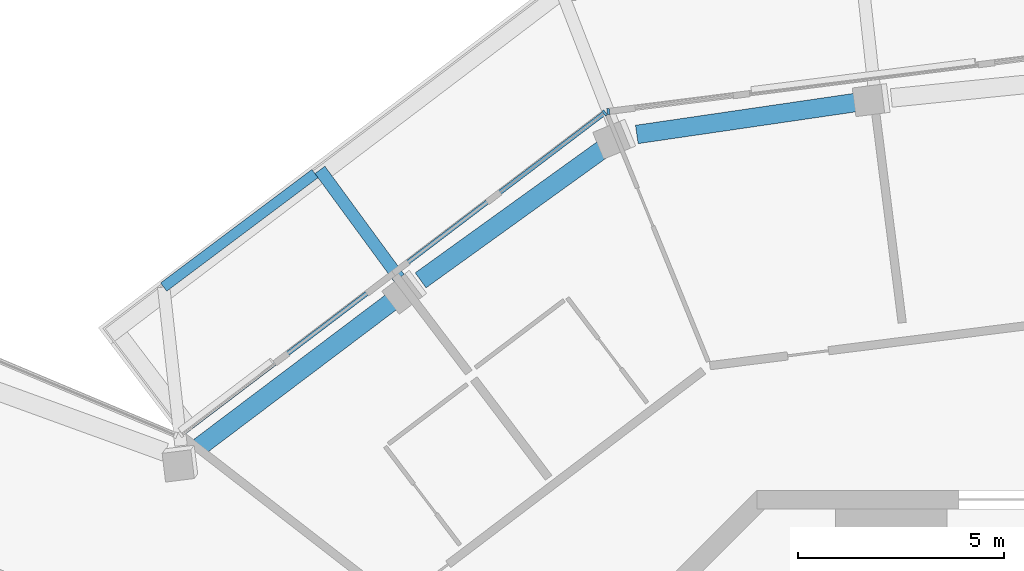
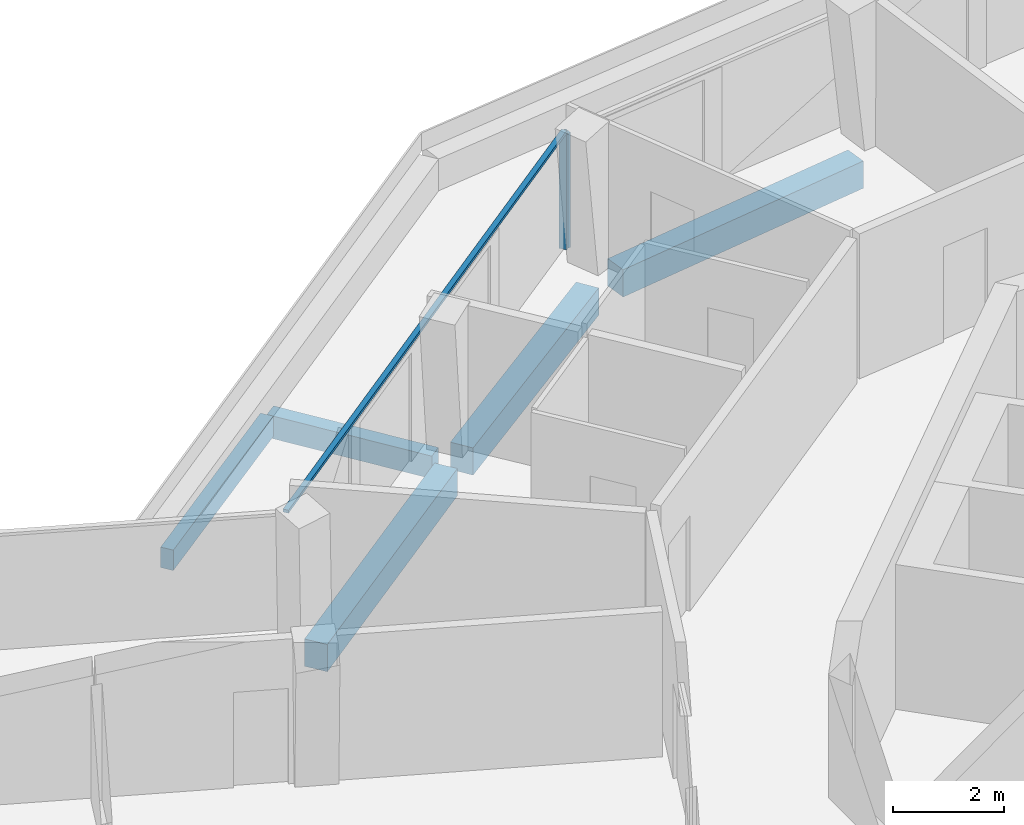
# One storey, part 6 of 26: 5 beams, 3 members, 2 elements without a shape of their own.
"""IFC4 building model written with IfcOpenShell, lengths in metres."""

from ifc_helpers import new_model, si_unit, direction, frame, origin, origin_2d, place, context, subcontext, project, spatial, rectangle, extrude, material, layer, layer_set, material_profile, profile_set, type_object, element, aggregate, save


model = new_model("IFC4")

# Units and contexts
model_context = context("Model", 3, precision=1e-05, world=origin(), true_north=direction((0.0, 1.0)))
body_context = subcontext(model_context, "Body", "Model", "MODEL_VIEW")
ifc_project = project(units=[si_unit("LENGTHUNIT", "METRE"), si_unit("AREAUNIT", "SQUARE_METRE"), si_unit("VOLUMEUNIT", "CUBIC_METRE"), si_unit("PLANEANGLEUNIT", "RADIAN"), si_unit("MASSUNIT", "GRAM", prefix="KILO")], contexts=[model_context])

# Site, building, storey
site_placement = place(None, origin())
site = spatial("IfcSite", under=ifc_project, at=site_placement, CompositionType="ELEMENT")
building_placement = place(site_placement, origin())
building = spatial("IfcBuilding", under=site, at=building_placement, Name="Verdalira Terraces Hotel", CompositionType="ELEMENT")
storey_placement = place(building_placement, frame((0.0, 0.0, 306.5)))
storey = spatial("IfcBuildingStorey", under=building, at=storey_placement, Name="L76", CompositionType="ELEMENT", Elevation=306.5)

# Beams
ifc_material_1 = material(Name="Concrete C40", Category="concrete")
ifc_material_profile_1 = material_profile(ifc_material_1, rectangle(XDim=0.300049, YDim=0.5, at=origin_2d()), Name="RC 300X500")
ifc_profile_set_1 = profile_set([ifc_material_profile_1], Name="Concrete C40")
beam_type_1 = type_object("IfcBeamType", Name="Balcony cantilever beam RC 300X500 C40", PredefinedType="BEAM", material=ifc_profile_set_1)
beam_1_placement = place(storey_placement, frame((-14.482666, 19.147949, -0.560059), z_axis=(-0.591155259, 0.806557785, 0.0), x_axis=(-0.806557785, -0.591155259, 0.0)))
element("IfcBeam", 1, at=beam_1_placement, inside=storey, type_object=beam_type_1, Name="Balcony cantilever beam R40-1", PredefinedType="BEAM", context=body_context, shape_type="SweptSolid", body=[
    extrude(rectangle(XDim=0.300049, YDim=0.5, at=origin_2d()), origin(), (0.0, 0.0, 1.0), 3.250732),
])
ifc_material_2 = material(Name="Concrete C40", Category="concrete")
ifc_material_profile_2 = material_profile(ifc_material_2, rectangle(XDim=0.25, YDim=0.449951, at=origin_2d()), Name="RC 250X450")
ifc_profile_set_2 = profile_set([ifc_material_profile_2], Name="Concrete C40")
beam_type_2 = type_object("IfcBeamType", Name="Balcony edge beam RC 250X450 C40", PredefinedType="BEAM", material=ifc_profile_set_2)
beam_2_placement = place(storey_placement, frame((-16.524414, 21.679688, -0.534912), z_axis=(-0.800166072, -0.599778507, 0.0), x_axis=(0.599778507, -0.800166072, 0.0)))
element("IfcBeam", 2, at=beam_2_placement, inside=storey, type_object=beam_type_2, Name="Balcony edge beam R40-1", PredefinedType="BEAM", context=body_context, shape_type="SweptSolid", body=[
    extrude(rectangle(XDim=0.25, YDim=0.449951, at=origin_2d()), origin(), (0.0, 0.0, 1.0), 4.585938),
])

# Curtain wall, member
ifc_material_3 = material(Name="Clear glass", Category="glass")
ifc_layer = layer(ifc_material_3, 0.14990234375)
ifc_layer_set = layer_set([ifc_layer], Name="CW1 curtain wall")
curtain_wall_type = type_object("IfcCurtainWallType", Name="CW1 curtain wall", PredefinedType="NOTDEFINED", material=ifc_layer_set)
curtain_wall_1_placement = place(storey_placement, origin())
curtain_wall_1 = element("IfcCurtainWall", 3, at=curtain_wall_1_placement, inside=storey, type_object=curtain_wall_type, Name="CW1 curtain wall L76 edge 40", PredefinedType="NOTDEFINED")
ifc_material_4 = material(Name="Terracotta frame", Category="masonry")
ifc_material_profile_3 = material_profile(ifc_material_4, rectangle(XDim=0.060059, YDim=0.149902, at=origin_2d()), Name="MU 60x150")
ifc_profile_set_3 = profile_set([ifc_material_profile_3], Name="Terracotta frame")
member_type_1 = type_object("IfcMemberType", Name="CW1 mullion 60x150", PredefinedType="MULLION", material=ifc_profile_set_3)
member_1_placement = place(storey_placement, frame((-9.410156, 23.186768, 0.0), z_axis=(0.0, 0.0, 1.0), x_axis=(-0.992114701, -0.125333234, 0.0)))
member_1 = element("IfcMember", 4, at=member_1_placement, type_object=member_type_1, Name="CW1 mullion", PredefinedType="MULLION", context=body_context, shape_type="SweptSolid", body=[
    extrude(rectangle(XDim=0.060059, YDim=0.149902, at=origin_2d()), origin(), (0.0, 0.0, 1.0), 2.524902),
])
aggregate(curtain_wall_1, [member_1])

# Curtain wall, members
curtain_wall_2_placement = place(storey_placement, origin())
curtain_wall_2 = element("IfcCurtainWall", 5, at=curtain_wall_2_placement, inside=storey, type_object=curtain_wall_type, Name="CW1 curtain wall L76 edge 41", PredefinedType="NOTDEFINED")
member_2_placement = place(storey_placement, frame((-9.499756, 23.150146, 0.0), z_axis=(0.0, 0.0, 1.0), x_axis=(-0.796529918, -0.604599115, 0.0)))
member_2 = element("IfcMember", 6, at=member_2_placement, type_object=member_type_1, Name="CW1 mullion", PredefinedType="MULLION", context=body_context, shape_type="SweptSolid", body=[
    extrude(rectangle(XDim=0.060059, YDim=0.149902, at=origin_2d()), origin(), (0.0, 0.0, 1.0), 2.524902),
])
ifc_material_5 = material(Name="Terracotta frame", Category="masonry")
ifc_material_profile_4 = material_profile(ifc_material_5, rectangle(XDim=0.110107, YDim=0.064941, at=origin_2d()), Name="TR 65x110")
ifc_profile_set_4 = profile_set([ifc_material_profile_4], Name="Terracotta frame")
member_type_2 = type_object("IfcMemberType", Name="CW1 transom 65x110", PredefinedType="USERDEFINED", material=ifc_profile_set_4)
member_3_placement = place(storey_placement, frame((-9.47583, 23.168457, 2.557617), z_axis=(-0.796518893, -0.604613639, 0.0), x_axis=(0.604613639, -0.796518893, 0.0)))
member_3 = element("IfcMember", 7, at=member_3_placement, type_object=member_type_2, Name="CW1 transom", ObjectType="TRANSOM", PredefinedType="USERDEFINED", context=body_context, shape_type="SweptSolid", body=[
    extrude(rectangle(XDim=0.110107, YDim=0.064941, at=origin_2d()), origin(), (0.0, 0.0, 1.0), 12.959717),
])
aggregate(curtain_wall_2, [member_2, member_3])

# Beams
ifc_material_6 = material(Name="Concrete C40", Category="concrete")
ifc_material_profile_5 = material_profile(ifc_material_6, rectangle(XDim=0.449951, YDim=0.600098, at=origin_2d()), Name="RC 450X600")
ifc_profile_set_5 = profile_set([ifc_material_profile_5], Name="Concrete C40")
beam_type_3 = type_object("IfcBeamType", Name="Spandrel beam RC 450X600 C40", PredefinedType="SPANDREL", material=ifc_profile_set_5)
beam_3_placement = place(storey_placement, frame((-3.255127, 23.42749, -0.610107), z_axis=(-0.989510606, -0.144460236, 0.0), x_axis=(0.144460236, -0.989510606, 0.0)))
element("IfcBeam", 8, at=beam_3_placement, inside=storey, type_object=beam_type_3, Name="Spandrel beam B27", PredefinedType="SPANDREL", context=body_context, shape_type="SweptSolid", body=[
    extrude(rectangle(XDim=0.449951, YDim=0.600098, at=origin_2d()), origin(), (0.0, 0.0, 1.0), 5.52124),
])
beam_4_placement = place(storey_placement, frame((-9.479736, 22.320068, -0.610107), z_axis=(-0.81146056, -0.584407186, 0.0), x_axis=(0.584407186, -0.81146056, 0.0)))
element("IfcBeam", 9, at=beam_4_placement, inside=storey, type_object=beam_type_3, Name="Spandrel beam B28", PredefinedType="SPANDREL", context=body_context, shape_type="SweptSolid", body=[
    extrude(rectangle(XDim=0.449951, YDim=0.600098, at=origin_2d()), origin(), (0.0, 0.0, 1.0), 5.523682),
])
beam_5_placement = place(storey_placement, frame((-14.531738, 18.672119, -0.610107), z_axis=(-0.798295985, -0.602265323, 0.0), x_axis=(0.602265323, -0.798295985, 0.0)))
element("IfcBeam", 10, at=beam_5_placement, inside=storey, type_object=beam_type_3, Name="Spandrel beam B29", PredefinedType="SPANDREL", context=body_context, shape_type="SweptSolid", body=[
    extrude(rectangle(XDim=0.449951, YDim=0.600098, at=origin_2d()), origin(), (0.0, 0.0, 1.0), 6.011719),
])

save(model, "model.ifc")
